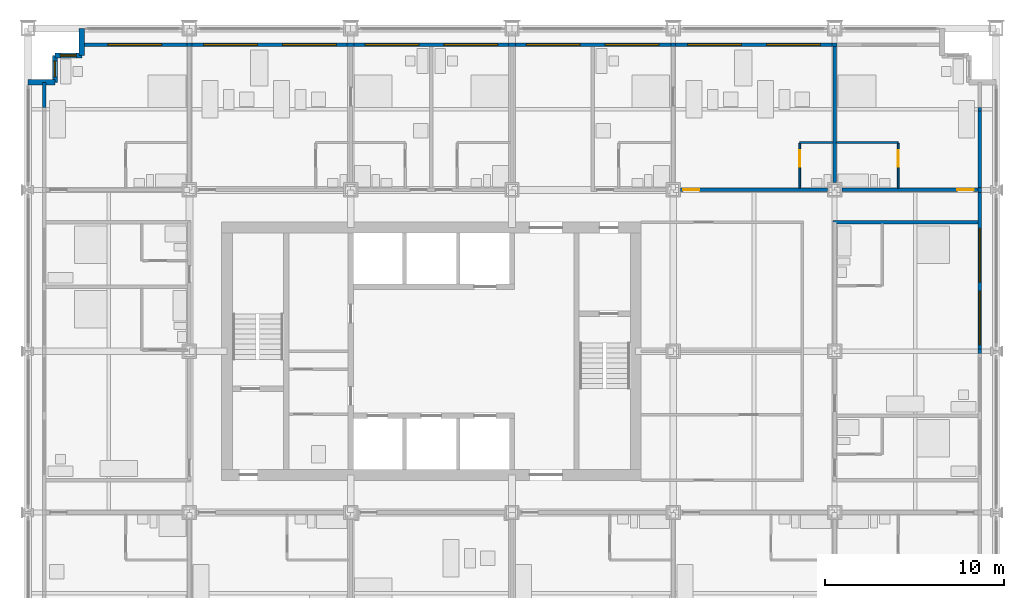
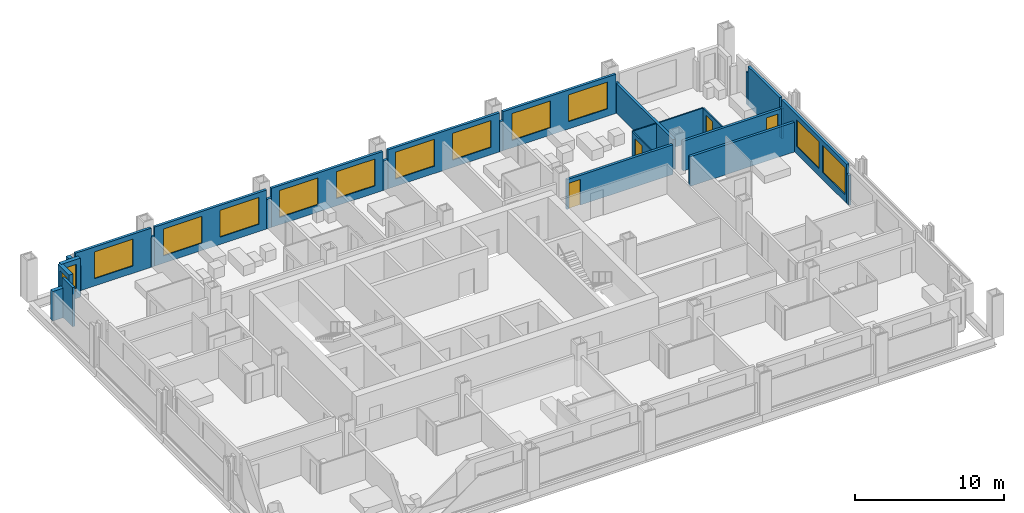
# One storey, part 14 of 18: 28 walls, 13 windows, 4 doors, 17 openings.
"""IFC4 building model written with IfcOpenShell, lengths in metres."""

from ifc_helpers import new_model, si_unit, direction, frame, frame_2d, origin, place, context, subcontext, project, spatial, rectangle, extrude, material, layer, layer_set, type_object, element, fill, save


model = new_model("IFC4")

# Units and contexts
model_context = context("Model", 3, precision=1e-05, world=origin(), true_north=direction((0.0, 1.0)))
body_context = subcontext(model_context, "Body", "Model", "MODEL_VIEW")
ifc_project = project(units=[si_unit("LENGTHUNIT", "METRE"), si_unit("AREAUNIT", "SQUARE_METRE"), si_unit("VOLUMEUNIT", "CUBIC_METRE"), si_unit("PLANEANGLEUNIT", "RADIAN"), si_unit("MASSUNIT", "GRAM", prefix="KILO")], contexts=[model_context])

# Site, building, storey
site_placement = place(None, origin())
site = spatial("IfcSite", under=ifc_project, at=site_placement, CompositionType="ELEMENT")
building_placement = place(site_placement, origin())
building = spatial("IfcBuilding", under=site, at=building_placement, Name="Loomwork Tower", CompositionType="ELEMENT")
storey_placement = place(building_placement, frame((0.0, 0.0, 41.60009765625)))
storey = spatial("IfcBuildingStorey", under=building, at=storey_placement, Name="L09", CompositionType="ELEMENT", Elevation=41.60009765625)

# Wall, opening, door
ifc_material_1 = material(Name="Gypsum board on steel studs, one-hour", Category="steel")
ifc_layer_1 = layer(ifc_material_1, 0.199951171875)
ifc_layer_set_1 = layer_set([ifc_layer_1], Name="Corridor wall 200")
wall_type_1 = type_object("IfcWallType", Name="Corridor wall 200", PredefinedType="PARTITIONING", material=ifc_layer_set_1)
wall_1_placement = place(storey_placement, frame((36.39990234375, 27.0, 0.0), z_axis=(0.0, 0.0, 1.0), x_axis=(1.0, 0.0, 0.0)))
wall_1 = element("IfcWall", 1, at=wall_1_placement, inside=storey, type_object=wall_type_1, Name="North corridor wall 5", PredefinedType="PARTITIONING", context=body_context, shape_type="SweptSolid", body=[
    extrude(rectangle(XDim=8.2001953125, YDim=0.199951171875, at=frame_2d((4.10009765625, 0.0))), origin(), (0.0, 0.0, 1.0), 2.43798828125),
])
opening_1_placement = place(wall_1_placement, frame((0.14990234375, 0.0, 0.0)))
opening_1 = element("IfcOpeningElement", 2, at=opening_1_placement, cuts=wall_1, Name="Opening D1", PredefinedType="OPENING", context=body_context, shape_type="SweptSolid", body=[
    extrude(rectangle(XDim=0.89990234375, YDim=2.10009765625, at=frame_2d((0.449951171875, 1.050048828125))), frame((0.0, 0.10986328125, 0.0), z_axis=(0.0, -1.0, 0.0), x_axis=(1.0, 0.0, 0.0)), (0.0, 0.0, 1.0), 0.219970703125),
])
ifc_material_2 = material(Name="Hollow metal door and frame")
door_type_1 = type_object("IfcDoorType", Name="Guest room entry door 900", OperationType="SINGLE_SWING_LEFT", PredefinedType="DOOR", material=ifc_material_2)
door_1_placement = place(opening_1_placement, origin())
door_1 = element("IfcDoor", 3, at=door_1_placement, inside=storey, type_object=door_type_1, Name="Guest room entry door L09 12", OperationType="SINGLE_SWING_LEFT", OverallHeight=2.10009765625, OverallWidth=0.89990234375, PredefinedType="DOOR", context=body_context, shape_type="SweptSolid", body=[
    extrude(rectangle(XDim=0.89990234375, YDim=2.10009765625, at=frame_2d((0.449951171875, 1.050048828125))), frame((0.0, 0.02490234375, 0.0), z_axis=(0.0, -1.0, 0.0), x_axis=(1.0, 0.0, 0.0)), (0.0, 0.0, 1.0), 0.050048828125),
])
fill(opening_1, door_1)

wall_2_placement = place(storey_placement, frame((45.39990234375, 27.0, 0.0), z_axis=(0.0, 0.0, 1.0), x_axis=(1.0, 0.0, 0.0)))
wall_2 = element("IfcWall", 4, at=wall_2_placement, inside=storey, type_object=wall_type_1, Name="North corridor wall 6", PredefinedType="PARTITIONING", context=body_context, shape_type="SweptSolid", body=[
    extrude(rectangle(XDim=7.60009765625, YDim=0.199951171875, at=frame_2d((3.800048828125, 0.0))), origin(), (0.0, 0.0, 1.0), 2.43798828125),
])
opening_2_placement = place(wall_2_placement, frame((6.449951171875, 0.0, 0.0)))
opening_2 = element("IfcOpeningElement", 5, at=opening_2_placement, cuts=wall_2, Name="Opening D1", PredefinedType="OPENING", context=body_context, shape_type="SweptSolid", body=[
    extrude(rectangle(XDim=0.89990234375, YDim=2.10009765625, at=frame_2d((0.449951171875, 1.050048828125))), frame((0.0, 0.10986328125, 0.0), z_axis=(0.0, -1.0, 0.0), x_axis=(1.0, 0.0, 0.0)), (0.0, 0.0, 1.0), 0.219970703125),
])
door_2_placement = place(opening_2_placement, origin())
door_2 = element("IfcDoor", 6, at=door_2_placement, inside=storey, type_object=door_type_1, Name="Guest room entry door L09 13", OperationType="SINGLE_SWING_RIGHT", OverallHeight=2.10009765625, OverallWidth=0.89990234375, PredefinedType="DOOR", context=body_context, shape_type="SweptSolid", body=[
    extrude(rectangle(XDim=0.89990234375, YDim=2.10009765625, at=frame_2d((0.449951171875, 1.050048828125))), frame((0.0, 0.02490234375, 0.0), z_axis=(0.0, -1.0, 0.0), x_axis=(1.0, 0.0, 0.0)), (0.0, 0.0, 1.0), 0.050048828125),
])
fill(opening_2, door_2)

# Walls
wall_3_placement = place(storey_placement, frame((44.89990234375, 25.199951171875, 0.0), z_axis=(0.0, 0.0, 1.0), x_axis=(1.0, 0.0, 0.0)))
element("IfcWall", 7, at=wall_3_placement, inside=storey, type_object=wall_type_1, Name="East band end wall N", PredefinedType="PARTITIONING", context=body_context, shape_type="SweptSolid", body=[
    extrude(rectangle(XDim=8.10009765625, YDim=0.199951171875, at=frame_2d((4.050048828125, 0.0))), origin(), (0.0, 0.0, 1.0), 2.43798828125),
])
ifc_material_3 = material(Name="Cement board on steel studs", Category="steel")
ifc_layer_2 = layer(ifc_material_3, 0.10009765625)
ifc_layer_set_2 = layer_set([ifc_layer_2], Name="En-suite partition 100")
wall_type_2 = type_object("IfcWallType", Name="En-suite partition 100", PredefinedType="PARTITIONING", material=ifc_layer_set_2)
wall_4_placement = place(storey_placement, frame((43.050048828125, 29.64990234375, 0.0), z_axis=(0.0, 0.0, 1.0), x_axis=(1.0, 0.0, 0.0)))
element("IfcWall", 8, at=wall_4_placement, inside=storey, type_object=wall_type_2, Name="En-suite wall L09 room 12", PredefinedType="PARTITIONING", context=body_context, shape_type="SweptSolid", body=[
    extrude(rectangle(XDim=1.849853515625, YDim=0.10009765625, at=frame_2d((0.9248046875, 0.0))), origin(), (0.0, 0.0, 1.0), 2.43798828125),
])

# Wall, opening, door
wall_5_placement = place(storey_placement, frame((43.050048828125, 27.10009765625, 0.0), z_axis=(0.0, 0.0, 1.0), x_axis=(0.0, 1.0, 0.0)))
wall_5 = element("IfcWall", 9, at=wall_5_placement, inside=storey, type_object=wall_type_2, Name="En-suite side wall L09 room 12", PredefinedType="PARTITIONING", context=body_context, shape_type="SweptSolid", body=[
    extrude(rectangle(XDim=2.5, YDim=0.10009765625, at=frame_2d((1.25, 0.0))), origin(), (0.0, 0.0, 1.0), 2.43798828125),
])
opening_3_placement = place(wall_5_placement, frame((1.199951171875, 0.0, 0.0)))
opening_3 = element("IfcOpeningElement", 10, at=opening_3_placement, cuts=wall_5, Name="Opening D2", PredefinedType="OPENING", context=body_context, shape_type="SweptSolid", body=[
    extrude(rectangle(XDim=0.89990234375, YDim=2.10009765625, at=frame_2d((0.449951171875, 1.050048828125))), frame((0.0, 0.06005859375, 0.0), z_axis=(0.0, -1.0, 0.0), x_axis=(1.0, 0.0, 0.0)), (0.0, 0.0, 1.0), 0.1201171875),
])
ifc_material_4 = material(Name="Hollow metal door and frame")
door_type_2 = type_object("IfcDoorType", Name="En-suite door 900", OperationType="SINGLE_SWING_LEFT", PredefinedType="DOOR", material=ifc_material_4)
door_3_placement = place(opening_3_placement, frame((0.89990234375, 0.0, 0.0), z_axis=(0.0, 0.0, 1.0), x_axis=(-1.0, 0.0, 0.0)))
door_3 = element("IfcDoor", 11, at=door_3_placement, inside=storey, type_object=door_type_2, Name="Suite powder room door room 12", OperationType="SINGLE_SWING_LEFT", OverallHeight=2.10009765625, OverallWidth=0.89990234375, PredefinedType="DOOR", context=body_context, shape_type="SweptSolid", body=[
    extrude(rectangle(XDim=0.89990234375, YDim=2.10009765625, at=frame_2d((0.449951171875, 1.050048828125))), frame((0.0, 0.02490234375, 0.0), z_axis=(0.0, -1.0, 0.0), x_axis=(1.0, 0.0, 0.0)), (0.0, 0.0, 1.0), 0.050048828125),
])
fill(opening_3, door_3)

# Wall
wall_6_placement = place(storey_placement, frame((45.10009765625, 29.64990234375, 0.0), z_axis=(0.0, 0.0, 1.0), x_axis=(1.0, 0.0, 0.0)))
element("IfcWall", 12, at=wall_6_placement, inside=storey, type_object=wall_type_2, Name="En-suite wall L09 room 13", PredefinedType="PARTITIONING", context=body_context, shape_type="SweptSolid", body=[
    extrude(rectangle(XDim=3.449951171875, YDim=0.10009765625, at=frame_2d((1.72509765625, 0.0))), origin(), (0.0, 0.0, 1.0), 2.43798828125),
])

# Wall, opening, door
wall_7_placement = place(storey_placement, frame((48.550048828125, 27.10009765625, 0.0), z_axis=(0.0, 0.0, 1.0), x_axis=(0.0, 1.0, 0.0)))
wall_7 = element("IfcWall", 13, at=wall_7_placement, inside=storey, type_object=wall_type_2, Name="En-suite side wall L09 room 13", PredefinedType="PARTITIONING", context=body_context, shape_type="SweptSolid", body=[
    extrude(rectangle(XDim=2.5, YDim=0.10009765625, at=frame_2d((1.25, 0.0))), origin(), (0.0, 0.0, 1.0), 2.43798828125),
])
opening_4_placement = place(wall_7_placement, frame((1.199951171875, 0.0, 0.0)))
opening_4 = element("IfcOpeningElement", 14, at=opening_4_placement, cuts=wall_7, Name="Opening D2", PredefinedType="OPENING", context=body_context, shape_type="SweptSolid", body=[
    extrude(rectangle(XDim=0.89990234375, YDim=2.10009765625, at=frame_2d((0.449951171875, 1.050048828125))), frame((0.0, 0.06005859375, 0.0), z_axis=(0.0, -1.0, 0.0), x_axis=(1.0, 0.0, 0.0)), (0.0, 0.0, 1.0), 0.1201171875),
])
door_4_placement = place(opening_4_placement, origin())
door_4 = element("IfcDoor", 15, at=door_4_placement, inside=storey, type_object=door_type_2, Name="En-suite door room 13", OperationType="SINGLE_SWING_RIGHT", OverallHeight=2.10009765625, OverallWidth=0.89990234375, PredefinedType="DOOR", context=body_context, shape_type="SweptSolid", body=[
    extrude(rectangle(XDim=0.89990234375, YDim=2.10009765625, at=frame_2d((0.449951171875, 1.050048828125))), frame((0.0, 0.02490234375, 0.0), z_axis=(0.0, -1.0, 0.0), x_axis=(1.0, 0.0, 0.0)), (0.0, 0.0, 1.0), 0.050048828125),
])
fill(opening_4, door_4)

# Wall
ifc_material_5 = material(Name="Gypsum board on steel studs, acoustic", Category="steel")
ifc_layer_3 = layer(ifc_material_5, 0.199951171875)
ifc_layer_set_3 = layer_set([ifc_layer_3], Name="Guest room party wall 200")
wall_type_3 = type_object("IfcWallType", Name="Guest room party wall 200", PredefinedType="PARTITIONING", material=ifc_layer_set_3)
wall_8_placement = place(storey_placement, frame((45.0, 27.39990234375, 0.0), z_axis=(0.0, 0.0, 1.0), x_axis=(0.0, 1.0, 0.0)))
element("IfcWall", 16, at=wall_8_placement, inside=storey, type_object=wall_type_3, Name="Guest room party wall N 45", PredefinedType="PARTITIONING", context=body_context, shape_type="SweptSolid", body=[
    extrude(rectangle(XDim=7.60009765625, YDim=0.199951171875, at=frame_2d((3.800048828125, 0.0))), origin(), (0.0, 0.0, 1.0), 2.43798828125),
])

# Wall, opening, window
ifc_material_6 = material(Name="Insulated steel stud wall with gypsum lining", Category="steel")
ifc_layer_4 = layer(ifc_material_6, 0.199951171875)
ifc_layer_set_4 = layer_set([ifc_layer_4], Name="Inner skin wall 200")
wall_type_4 = type_object("IfcWallType", Name="Inner skin wall 200", PredefinedType="SOLIDWALL", material=ifc_layer_set_4)
wall_9_placement = place(storey_placement, frame((3.0, 35.10009765625, 0.0), z_axis=(0.0, 0.0, 1.0), x_axis=(1.0, 0.0, 0.0)))
wall_9 = element("IfcWall", 17, at=wall_9_placement, inside=storey, type_object=wall_type_4, Name="Inner skin wall N", PredefinedType="SOLIDWALL", context=body_context, shape_type="SweptSolid", body=[
    extrude(rectangle(XDim=5.86474609375, YDim=0.199951171875, at=frame_2d((2.932373046875, 0.0))), origin(), (0.0, 0.0, 1.0), 3.199951171875),
])
opening_5_placement = place(wall_9_placement, frame((1.449951171875, 0.0, 0.60009765625)))
opening_5 = element("IfcOpeningElement", 18, at=opening_5_placement, cuts=wall_9, Name="Opening CH1", PredefinedType="OPENING", context=body_context, shape_type="SweptSolid", body=[
    extrude(rectangle(XDim=3.0, YDim=2.199951171875, at=frame_2d((1.5, 1.10009765625))), frame((0.0, 0.10986328125, 0.0), z_axis=(0.0, -1.0, 0.0), x_axis=(1.0, 0.0, 0.0)), (0.0, 0.0, 1.0), 0.219970703125),
])
ifc_material_7 = material(Name="Aluminium frame with clear insulated glass", Category="aluminium")
window_type_1 = type_object("IfcWindowType", Name="Chicago window 3000", PartitioningType="TRIPLE_PANEL_VERTICAL", PredefinedType="WINDOW", material=ifc_material_7)
window_1_placement = place(opening_5_placement, origin())
window_1 = element("IfcWindow", 19, at=window_1_placement, inside=storey, type_object=window_type_1, Name="Chicago window L09 bay 7", OverallHeight=2.199951171875, OverallWidth=3.0, PartitioningType="TRIPLE_PANEL_VERTICAL", PredefinedType="WINDOW", context=body_context, shape_type="SweptSolid", body=[
    extrude(rectangle(XDim=3.0, YDim=2.199951171875, at=frame_2d((1.5, 1.10009765625))), frame((0.0, 0.030029296875, 0.0), z_axis=(0.0, -1.0, 0.0), x_axis=(1.0, 0.0, 0.0)), (0.0, 0.0, 1.0), 0.06005859375),
])
fill(opening_5, window_1)

# Walls
wall_10_placement = place(storey_placement, frame((0.89990234375, 31.607421875, 0.0), z_axis=(0.0, 0.0, 1.0), x_axis=(0.0, 1.0, 0.0)))
element("IfcWall", 20, at=wall_10_placement, inside=storey, type_object=wall_type_4, Name="Inner skin wall W bay 11", PredefinedType="SOLIDWALL", context=body_context, shape_type="SweptSolid", body=[
    extrude(rectangle(XDim=1.392578125, YDim=0.199951171875, at=frame_2d((0.6962890625, 0.0))), origin(), (0.0, 0.0, 1.0), 3.199951171875),
])
wall_11_placement = place(storey_placement, frame((8.86474609375, 35.10009765625, 0.0), z_axis=(0.0, 0.0, 1.0), x_axis=(1.0, 0.0, 0.0)))
element("IfcWall", 21, at=wall_11_placement, inside=storey, type_object=wall_type_4, Name="Inner skin wall N bay 2", PredefinedType="SOLIDWALL", context=body_context, shape_type="SweptSolid", body=[
    extrude(rectangle(XDim=0.2705078125, YDim=0.199951171875, at=frame_2d((0.13525390625, 0.0))), origin(), (0.0, 0.0, 1.0), 2.43798828125),
])

# Wall, openings, windows
wall_12_placement = place(storey_placement, frame((9.13525390625, 35.10009765625, 0.0), z_axis=(0.0, 0.0, 1.0), x_axis=(1.0, 0.0, 0.0)))
wall_12 = element("IfcWall", 22, at=wall_12_placement, inside=storey, type_object=wall_type_4, Name="Inner skin wall N bay 3", PredefinedType="SOLIDWALL", context=body_context, shape_type="SweptSolid", body=[
    extrude(rectangle(XDim=8.6708984375, YDim=0.199951171875, at=frame_2d((4.33544921875, 0.0))), origin(), (0.0, 0.0, 1.0), 3.199951171875),
])
opening_6_placement = place(wall_12_placement, frame((0.664794921875, 0.0, 0.60009765625)))
opening_6 = element("IfcOpeningElement", 23, at=opening_6_placement, cuts=wall_12, Name="Opening CH1", PredefinedType="OPENING", context=body_context, shape_type="SweptSolid", body=[
    extrude(rectangle(XDim=3.0, YDim=2.199951171875, at=frame_2d((1.5, 1.10009765625))), frame((0.0, 0.10986328125, 0.0), z_axis=(0.0, -1.0, 0.0), x_axis=(1.0, 0.0, 0.0)), (0.0, 0.0, 1.0), 0.219970703125),
])
opening_7_placement = place(wall_12_placement, frame((5.064697265625, 0.0, 0.60009765625)))
opening_7 = element("IfcOpeningElement", 24, at=opening_7_placement, cuts=wall_12, Name="Opening CH1", PredefinedType="OPENING", context=body_context, shape_type="SweptSolid", body=[
    extrude(rectangle(XDim=3.0, YDim=2.199951171875, at=frame_2d((1.5, 1.10009765625))), frame((0.0, 0.10986328125, 0.0), z_axis=(0.0, -1.0, 0.0), x_axis=(1.0, 0.0, 0.0)), (0.0, 0.0, 1.0), 0.219970703125),
])
window_2_placement = place(opening_6_placement, origin())
window_2 = element("IfcWindow", 25, at=window_2_placement, inside=storey, type_object=window_type_1, Name="Chicago window L09 bay 8", OverallHeight=2.199951171875, OverallWidth=3.0, PartitioningType="TRIPLE_PANEL_VERTICAL", PredefinedType="WINDOW", context=body_context, shape_type="SweptSolid", body=[
    extrude(rectangle(XDim=3.0, YDim=2.199951171875, at=frame_2d((1.5, 1.10009765625))), frame((0.0, 0.030029296875, 0.0), z_axis=(0.0, -1.0, 0.0), x_axis=(1.0, 0.0, 0.0)), (0.0, 0.0, 1.0), 0.06005859375),
])
fill(opening_6, window_2)
window_3_placement = place(opening_7_placement, origin())
window_3 = element("IfcWindow", 26, at=window_3_placement, inside=storey, type_object=window_type_1, Name="Chicago window L09 bay 8", OverallHeight=2.199951171875, OverallWidth=3.0, PartitioningType="TRIPLE_PANEL_VERTICAL", PredefinedType="WINDOW", context=body_context, shape_type="SweptSolid", body=[
    extrude(rectangle(XDim=3.0, YDim=2.199951171875, at=frame_2d((1.5, 1.10009765625))), frame((0.0, 0.030029296875, 0.0), z_axis=(0.0, -1.0, 0.0), x_axis=(1.0, 0.0, 0.0)), (0.0, 0.0, 1.0), 0.06005859375),
])
fill(opening_7, window_3)

# Wall
wall_13_placement = place(storey_placement, frame((17.80615234375, 35.10009765625, 0.0), z_axis=(0.0, 0.0, 1.0), x_axis=(1.0, 0.0, 0.0)))
element("IfcWall", 27, at=wall_13_placement, inside=storey, type_object=wall_type_4, Name="Inner skin wall N bay 4", PredefinedType="SOLIDWALL", context=body_context, shape_type="SweptSolid", body=[
    extrude(rectangle(XDim=0.3876953125, YDim=0.199951171875, at=frame_2d((0.19384765625, 0.0))), origin(), (0.0, 0.0, 1.0), 2.40380859375),
])

# Wall, openings, windows
wall_14_placement = place(storey_placement, frame((18.19384765625, 35.10009765625, 0.0), z_axis=(0.0, 0.0, 1.0), x_axis=(1.0, 0.0, 0.0)))
wall_14 = element("IfcWall", 28, at=wall_14_placement, inside=storey, type_object=wall_type_4, Name="Inner skin wall N bay 5", PredefinedType="SOLIDWALL", context=body_context, shape_type="SweptSolid", body=[
    extrude(rectangle(XDim=8.6123046875, YDim=0.199951171875, at=frame_2d((4.30615234375, 0.0))), origin(), (0.0, 0.0, 1.0), 3.199951171875),
])
opening_8_placement = place(wall_14_placement, frame((0.606201171875, 0.0, 0.60009765625)))
opening_8 = element("IfcOpeningElement", 29, at=opening_8_placement, cuts=wall_14, Name="Opening CH1", PredefinedType="OPENING", context=body_context, shape_type="SweptSolid", body=[
    extrude(rectangle(XDim=3.0, YDim=2.199951171875, at=frame_2d((1.5, 1.10009765625))), frame((0.0, 0.10986328125, 0.0), z_axis=(0.0, -1.0, 0.0), x_axis=(1.0, 0.0, 0.0)), (0.0, 0.0, 1.0), 0.219970703125),
])
opening_9_placement = place(wall_14_placement, frame((5.006103515625, 0.0, 0.60009765625)))
opening_9 = element("IfcOpeningElement", 30, at=opening_9_placement, cuts=wall_14, Name="Opening CH1", PredefinedType="OPENING", context=body_context, shape_type="SweptSolid", body=[
    extrude(rectangle(XDim=3.0, YDim=2.199951171875, at=frame_2d((1.5, 1.10009765625))), frame((0.0, 0.10986328125, 0.0), z_axis=(0.0, -1.0, 0.0), x_axis=(1.0, 0.0, 0.0)), (0.0, 0.0, 1.0), 0.219970703125),
])
window_4_placement = place(opening_8_placement, origin())
window_4 = element("IfcWindow", 31, at=window_4_placement, inside=storey, type_object=window_type_1, Name="Chicago window L09 bay 9", OverallHeight=2.199951171875, OverallWidth=3.0, PartitioningType="TRIPLE_PANEL_VERTICAL", PredefinedType="WINDOW", context=body_context, shape_type="SweptSolid", body=[
    extrude(rectangle(XDim=3.0, YDim=2.199951171875, at=frame_2d((1.5, 1.10009765625))), frame((0.0, 0.030029296875, 0.0), z_axis=(0.0, -1.0, 0.0), x_axis=(1.0, 0.0, 0.0)), (0.0, 0.0, 1.0), 0.06005859375),
])
fill(opening_8, window_4)
window_5_placement = place(opening_9_placement, origin())
window_5 = element("IfcWindow", 32, at=window_5_placement, inside=storey, type_object=window_type_1, Name="Chicago window L09 bay 9", OverallHeight=2.199951171875, OverallWidth=3.0, PartitioningType="TRIPLE_PANEL_VERTICAL", PredefinedType="WINDOW", context=body_context, shape_type="SweptSolid", body=[
    extrude(rectangle(XDim=3.0, YDim=2.199951171875, at=frame_2d((1.5, 1.10009765625))), frame((0.0, 0.030029296875, 0.0), z_axis=(0.0, -1.0, 0.0), x_axis=(1.0, 0.0, 0.0)), (0.0, 0.0, 1.0), 0.06005859375),
])
fill(opening_9, window_5)

# Wall
wall_15_placement = place(storey_placement, frame((26.80615234375, 35.10009765625, 0.0), z_axis=(0.0, 0.0, 1.0), x_axis=(1.0, 0.0, 0.0)))
element("IfcWall", 33, at=wall_15_placement, inside=storey, type_object=wall_type_4, Name="Inner skin wall N bay 6", PredefinedType="SOLIDWALL", context=body_context, shape_type="SweptSolid", body=[
    extrude(rectangle(XDim=0.3876953125, YDim=0.199951171875, at=frame_2d((0.19384765625, 0.0))), origin(), (0.0, 0.0, 1.0), 2.40380859375),
])

# Wall, openings, windows
wall_16_placement = place(storey_placement, frame((27.19384765625, 35.10009765625, 0.0), z_axis=(0.0, 0.0, 1.0), x_axis=(1.0, 0.0, 0.0)))
wall_16 = element("IfcWall", 34, at=wall_16_placement, inside=storey, type_object=wall_type_4, Name="Inner skin wall N bay 7", PredefinedType="SOLIDWALL", context=body_context, shape_type="SweptSolid", body=[
    extrude(rectangle(XDim=8.670654296875, YDim=0.199951171875, at=frame_2d((4.33544921875, 0.0))), origin(), (0.0, 0.0, 1.0), 3.199951171875),
])
opening_10_placement = place(wall_16_placement, frame((0.606201171875, 0.0, 0.60009765625)))
opening_10 = element("IfcOpeningElement", 35, at=opening_10_placement, cuts=wall_16, Name="Opening CH1", PredefinedType="OPENING", context=body_context, shape_type="SweptSolid", body=[
    extrude(rectangle(XDim=3.0, YDim=2.199951171875, at=frame_2d((1.5, 1.10009765625))), frame((0.0, 0.10986328125, 0.0), z_axis=(0.0, -1.0, 0.0), x_axis=(1.0, 0.0, 0.0)), (0.0, 0.0, 1.0), 0.219970703125),
])
opening_11_placement = place(wall_16_placement, frame((5.006103515625, 0.0, 0.60009765625)))
opening_11 = element("IfcOpeningElement", 36, at=opening_11_placement, cuts=wall_16, Name="Opening CH1", PredefinedType="OPENING", context=body_context, shape_type="SweptSolid", body=[
    extrude(rectangle(XDim=3.0, YDim=2.199951171875, at=frame_2d((1.5, 1.10009765625))), frame((0.0, 0.10986328125, 0.0), z_axis=(0.0, -1.0, 0.0), x_axis=(1.0, 0.0, 0.0)), (0.0, 0.0, 1.0), 0.219970703125),
])
window_6_placement = place(opening_10_placement, origin())
window_6 = element("IfcWindow", 37, at=window_6_placement, inside=storey, type_object=window_type_1, Name="Chicago window L09 bay 10", OverallHeight=2.199951171875, OverallWidth=3.0, PartitioningType="TRIPLE_PANEL_VERTICAL", PredefinedType="WINDOW", context=body_context, shape_type="SweptSolid", body=[
    extrude(rectangle(XDim=3.0, YDim=2.199951171875, at=frame_2d((1.5, 1.10009765625))), frame((0.0, 0.030029296875, 0.0), z_axis=(0.0, -1.0, 0.0), x_axis=(1.0, 0.0, 0.0)), (0.0, 0.0, 1.0), 0.06005859375),
])
fill(opening_10, window_6)
window_7_placement = place(opening_11_placement, origin())
window_7 = element("IfcWindow", 38, at=window_7_placement, inside=storey, type_object=window_type_1, Name="Chicago window L09 bay 10", OverallHeight=2.199951171875, OverallWidth=3.0, PartitioningType="TRIPLE_PANEL_VERTICAL", PredefinedType="WINDOW", context=body_context, shape_type="SweptSolid", body=[
    extrude(rectangle(XDim=3.0, YDim=2.199951171875, at=frame_2d((1.5, 1.10009765625))), frame((0.0, 0.030029296875, 0.0), z_axis=(0.0, -1.0, 0.0), x_axis=(1.0, 0.0, 0.0)), (0.0, 0.0, 1.0), 0.06005859375),
])
fill(opening_11, window_7)

# Wall
wall_17_placement = place(storey_placement, frame((35.864501953125, 35.10009765625, 0.0), z_axis=(0.0, 0.0, 1.0), x_axis=(1.0, 0.0, 0.0)))
element("IfcWall", 39, at=wall_17_placement, inside=storey, type_object=wall_type_4, Name="Inner skin wall N bay 8", PredefinedType="SOLIDWALL", context=body_context, shape_type="SweptSolid", body=[
    extrude(rectangle(XDim=0.27099609375, YDim=0.199951171875, at=frame_2d((0.135498046875, 0.0))), origin(), (0.0, 0.0, 1.0), 2.43798828125),
])

# Wall, openings, windows
wall_18_placement = place(storey_placement, frame((36.135498046875, 35.10009765625, 0.0), z_axis=(0.0, 0.0, 1.0), x_axis=(1.0, 0.0, 0.0)))
wall_18 = element("IfcWall", 40, at=wall_18_placement, inside=storey, type_object=wall_type_4, Name="Inner skin wall N bay 9", PredefinedType="SOLIDWALL", context=body_context, shape_type="SweptSolid", body=[
    extrude(rectangle(XDim=8.72900390625, YDim=0.199951171875, at=frame_2d((4.364501953125, 0.0))), origin(), (0.0, 0.0, 1.0), 3.199951171875),
])
opening_12_placement = place(wall_18_placement, frame((0.66455078125, 0.0, 0.60009765625)))
opening_12 = element("IfcOpeningElement", 41, at=opening_12_placement, cuts=wall_18, Name="Opening CH1", PredefinedType="OPENING", context=body_context, shape_type="SweptSolid", body=[
    extrude(rectangle(XDim=3.0, YDim=2.199951171875, at=frame_2d((1.5, 1.10009765625))), frame((0.0, 0.10986328125, 0.0), z_axis=(0.0, -1.0, 0.0), x_axis=(1.0, 0.0, 0.0)), (0.0, 0.0, 1.0), 0.219970703125),
])
opening_13_placement = place(wall_18_placement, frame((5.064697265625, 0.0, 0.60009765625)))
opening_13 = element("IfcOpeningElement", 42, at=opening_13_placement, cuts=wall_18, Name="Opening CH1", PredefinedType="OPENING", context=body_context, shape_type="SweptSolid", body=[
    extrude(rectangle(XDim=3.0, YDim=2.199951171875, at=frame_2d((1.5, 1.10009765625))), frame((0.0, 0.10986328125, 0.0), z_axis=(0.0, -1.0, 0.0), x_axis=(1.0, 0.0, 0.0)), (0.0, 0.0, 1.0), 0.219970703125),
])
window_8_placement = place(opening_12_placement, origin())
window_8 = element("IfcWindow", 43, at=window_8_placement, inside=storey, type_object=window_type_1, Name="Chicago window L09 bay 11", OverallHeight=2.199951171875, OverallWidth=3.0, PartitioningType="TRIPLE_PANEL_VERTICAL", PredefinedType="WINDOW", context=body_context, shape_type="SweptSolid", body=[
    extrude(rectangle(XDim=3.0, YDim=2.199951171875, at=frame_2d((1.5, 1.10009765625))), frame((0.0, 0.030029296875, 0.0), z_axis=(0.0, -1.0, 0.0), x_axis=(1.0, 0.0, 0.0)), (0.0, 0.0, 1.0), 0.06005859375),
])
fill(opening_12, window_8)
window_9_placement = place(opening_13_placement, origin())
window_9 = element("IfcWindow", 44, at=window_9_placement, inside=storey, type_object=window_type_1, Name="Chicago window L09 bay 11", OverallHeight=2.199951171875, OverallWidth=3.0, PartitioningType="TRIPLE_PANEL_VERTICAL", PredefinedType="WINDOW", context=body_context, shape_type="SweptSolid", body=[
    extrude(rectangle(XDim=3.0, YDim=2.199951171875, at=frame_2d((1.5, 1.10009765625))), frame((0.0, 0.030029296875, 0.0), z_axis=(0.0, -1.0, 0.0), x_axis=(1.0, 0.0, 0.0)), (0.0, 0.0, 1.0), 0.06005859375),
])
fill(opening_13, window_9)

# Walls
for number, where, z_axis, x_axis, name in (
    (45, (44.864501953125, 35.10009765625, 0.0), (0.0, 0.0, 1.0), (1.0, 0.0, 0.0), "Inner skin wall N bay 10"),
    (46, (53.10009765625, 17.864501953125, 0.0), (0.0, 0.0, 1.0), (0.0, 1.0, 0.0), "Inner skin wall E bay 6"),
):
    element("IfcWall", number, at=place(storey_placement, frame(where, z_axis=z_axis, x_axis=x_axis)), inside=storey, type_object=wall_type_4, Name=name, PredefinedType="SOLIDWALL", context=body_context, shape_type="SweptSolid", body=[
        extrude(rectangle(XDim=0.27099609375, YDim=0.199951171875, at=frame_2d((0.135498046875, 0.0))), origin(), (0.0, 0.0, 1.0), 2.43798828125),
    ])

# Wall, openings, windows
wall_19_placement = place(storey_placement, frame((53.10009765625, 18.135498046875, 0.0), z_axis=(0.0, 0.0, 1.0), x_axis=(0.0, 1.0, 0.0)))
wall_19 = element("IfcWall", 47, at=wall_19_placement, inside=storey, type_object=wall_type_4, Name="Inner skin wall E bay 7", PredefinedType="SOLIDWALL", context=body_context, shape_type="SweptSolid", body=[
    extrude(rectangle(XDim=8.729248046875, YDim=0.199951171875, at=frame_2d((4.36474609375, 0.0))), origin(), (0.0, 0.0, 1.0), 3.199951171875),
])
opening_14_placement = place(wall_19_placement, frame((0.214599609375, 0.0, 0.60009765625)))
opening_14 = element("IfcOpeningElement", 48, at=opening_14_placement, cuts=wall_19, Name="Opening CH1", PredefinedType="OPENING", context=body_context, shape_type="SweptSolid", body=[
    extrude(rectangle(XDim=3.0, YDim=2.199951171875, at=frame_2d((1.5, 1.10009765625))), frame((0.0, 0.10986328125, 0.0), z_axis=(0.0, -1.0, 0.0), x_axis=(1.0, 0.0, 0.0)), (0.0, 0.0, 1.0), 0.219970703125),
])
opening_15_placement = place(wall_19_placement, frame((3.714599609375, 0.0, 0.60009765625)))
opening_15 = element("IfcOpeningElement", 49, at=opening_15_placement, cuts=wall_19, Name="Opening CH1", PredefinedType="OPENING", context=body_context, shape_type="SweptSolid", body=[
    extrude(rectangle(XDim=3.0, YDim=2.199951171875, at=frame_2d((1.5, 1.10009765625))), frame((0.0, 0.10986328125, 0.0), z_axis=(0.0, -1.0, 0.0), x_axis=(1.0, 0.0, 0.0)), (0.0, 0.0, 1.0), 0.219970703125),
])
window_10_placement = place(opening_14_placement, origin())
window_10 = element("IfcWindow", 50, at=window_10_placement, inside=storey, type_object=window_type_1, Name="Chicago window L09 bay 16", OverallHeight=2.199951171875, OverallWidth=3.0, PartitioningType="TRIPLE_PANEL_VERTICAL", PredefinedType="WINDOW", context=body_context, shape_type="SweptSolid", body=[
    extrude(rectangle(XDim=3.0, YDim=2.199951171875, at=frame_2d((1.5, 1.10009765625))), frame((0.0, 0.030029296875, 0.0), z_axis=(0.0, -1.0, 0.0), x_axis=(1.0, 0.0, 0.0)), (0.0, 0.0, 1.0), 0.06005859375),
])
fill(opening_14, window_10)
window_11_placement = place(opening_15_placement, origin())
window_11 = element("IfcWindow", 51, at=window_11_placement, inside=storey, type_object=window_type_1, Name="Chicago window L09 bay 16", OverallHeight=2.199951171875, OverallWidth=3.0, PartitioningType="TRIPLE_PANEL_VERTICAL", PredefinedType="WINDOW", context=body_context, shape_type="SweptSolid", body=[
    extrude(rectangle(XDim=3.0, YDim=2.199951171875, at=frame_2d((1.5, 1.10009765625))), frame((0.0, 0.030029296875, 0.0), z_axis=(0.0, -1.0, 0.0), x_axis=(1.0, 0.0, 0.0)), (0.0, 0.0, 1.0), 0.06005859375),
])
fill(opening_15, window_11)

# Walls
wall_20_placement = place(storey_placement, frame((53.10009765625, 26.86474609375, 0.0), z_axis=(0.0, 0.0, 1.0), x_axis=(0.0, 1.0, 0.0)))
element("IfcWall", 52, at=wall_20_placement, inside=storey, type_object=wall_type_4, Name="Inner skin wall E bay 8", PredefinedType="SOLIDWALL", context=body_context, shape_type="SweptSolid", body=[
    extrude(rectangle(XDim=0.2705078125, YDim=0.199951171875, at=frame_2d((0.13525390625, 0.0))), origin(), (0.0, 0.0, 1.0), 2.43798828125),
])
wall_21_placement = place(storey_placement, frame((53.10009765625, 27.13525390625, 0.0), z_axis=(0.0, 0.0, 1.0), x_axis=(0.0, 1.0, 0.0)))
element("IfcWall", 53, at=wall_21_placement, inside=storey, type_object=wall_type_4, Name="Inner skin wall E bay 9", PredefinedType="SOLIDWALL", context=body_context, shape_type="SweptSolid", body=[
    extrude(rectangle(XDim=4.25732421875, YDim=0.199951171875, at=frame_2d((2.128662109375, 0.0))), origin(), (0.0, 0.0, 1.0), 3.199951171875),
])
wall_22_placement = place(storey_placement, frame((53.10009765625, 31.392578125, 0.0), z_axis=(0.0, 0.0, 1.0), x_axis=(0.0, 1.0, 0.0)))
element("IfcWall", 54, at=wall_22_placement, inside=storey, type_object=wall_type_4, Name="Inner skin wall E bay 10", PredefinedType="SOLIDWALL", context=body_context, shape_type="SweptSolid", body=[
    extrude(rectangle(XDim=0.21484375, YDim=0.199951171875, at=frame_2d((0.107421875, 0.0))), origin(), (0.0, 0.0, 1.0), 2.660888671875),
])
ifc_material_8 = material(Name="Limestone on concrete masonry", Category="masonry")
ifc_layer_5 = layer(ifc_material_8, 0.300048828125)
ifc_layer_set_5 = layer_set([ifc_layer_5], Name="Limestone corner wall 300")
wall_type_5 = type_object("IfcWallType", Name="Limestone corner wall 300", PredefinedType="SOLIDWALL", material=ifc_layer_set_5)
wall_23_placement = place(storey_placement, frame((3.0, 36.0, 0.0), z_axis=(0.0, 0.0, 1.0), x_axis=(0.0, -1.0, 0.0)))
element("IfcWall", 55, at=wall_23_placement, inside=storey, type_object=wall_type_5, Name="Stone corner wall NW 1", PredefinedType="SOLIDWALL", context=body_context, shape_type="SweptSolid", body=[
    extrude(rectangle(XDim=1.5, YDim=0.300048828125, at=frame_2d((0.75, 0.0))), origin(), (0.0, 0.0, 1.0), 2.419921875),
])

# Wall, opening, window
wall_24_placement = place(storey_placement, frame((3.0, 34.5, 0.0), z_axis=(0.0, 0.0, 1.0), x_axis=(-1.0, 0.0, 0.0)))
wall_24 = element("IfcWall", 56, at=wall_24_placement, inside=storey, type_object=wall_type_5, Name="Stone corner wall NW 2", PredefinedType="SOLIDWALL", context=body_context, shape_type="SweptSolid", body=[
    extrude(rectangle(XDim=1.5, YDim=0.300048828125, at=frame_2d((0.75, 0.0))), origin(), (0.0, 0.0, 1.0), 3.199951171875),
])
opening_16_placement = place(wall_24_placement, frame((0.300048828125, 0.0, 0.60009765625)))
opening_16 = element("IfcOpeningElement", 57, at=opening_16_placement, cuts=wall_24, Name="Opening CH2", PredefinedType="OPENING", context=body_context, shape_type="SweptSolid", body=[
    extrude(rectangle(XDim=0.89990234375, YDim=2.199951171875, at=frame_2d((0.449951171875, 1.10009765625))), frame((0.0, 0.159912109375, 0.0), z_axis=(0.0, -1.0, 0.0), x_axis=(1.0, 0.0, 0.0)), (0.0, 0.0, 1.0), 0.320068359375),
])
ifc_material_9 = material(Name="Aluminium frame with clear insulated glass", Category="aluminium")
window_type_2 = type_object("IfcWindowType", Name="Corner window 900", PartitioningType="SINGLE_PANEL", PredefinedType="WINDOW", material=ifc_material_9)
window_12_placement = place(opening_16_placement, origin())
window_12 = element("IfcWindow", 58, at=window_12_placement, inside=storey, type_object=window_type_2, Name="Corner window NW", OverallHeight=2.199951171875, OverallWidth=0.89990234375, PartitioningType="SINGLE_PANEL", PredefinedType="WINDOW", context=body_context, shape_type="SweptSolid", body=[
    extrude(rectangle(XDim=0.89990234375, YDim=2.199951171875, at=frame_2d((0.449951171875, 1.10009765625))), frame((0.0, 0.030029296875, 0.0), z_axis=(0.0, -1.0, 0.0), x_axis=(1.0, 0.0, 0.0)), (0.0, 0.0, 1.0), 0.06005859375),
])
fill(opening_16, window_12)

wall_25_placement = place(storey_placement, frame((1.5, 34.5, 0.0), z_axis=(0.0, 0.0, 1.0), x_axis=(0.0, -1.0, 0.0)))
wall_25 = element("IfcWall", 59, at=wall_25_placement, inside=storey, type_object=wall_type_5, Name="Stone corner wall NW 3", PredefinedType="SOLIDWALL", context=body_context, shape_type="SweptSolid", body=[
    extrude(rectangle(XDim=1.5, YDim=0.300048828125, at=frame_2d((0.75, 0.0))), origin(), (0.0, 0.0, 1.0), 3.199951171875),
])
opening_17_placement = place(wall_25_placement, frame((0.300048828125, 0.0, 0.60009765625)))
opening_17 = element("IfcOpeningElement", 60, at=opening_17_placement, cuts=wall_25, Name="Opening CH2", PredefinedType="OPENING", context=body_context, shape_type="SweptSolid", body=[
    extrude(rectangle(XDim=0.89990234375, YDim=2.199951171875, at=frame_2d((0.449951171875, 1.10009765625))), frame((0.0, 0.159912109375, 0.0), z_axis=(0.0, -1.0, 0.0), x_axis=(1.0, 0.0, 0.0)), (0.0, 0.0, 1.0), 0.320068359375),
])
window_13_placement = place(opening_17_placement, origin())
window_13 = element("IfcWindow", 61, at=window_13_placement, inside=storey, type_object=window_type_2, Name="Corner window NW", OverallHeight=2.199951171875, OverallWidth=0.89990234375, PartitioningType="SINGLE_PANEL", PredefinedType="WINDOW", context=body_context, shape_type="SweptSolid", body=[
    extrude(rectangle(XDim=0.89990234375, YDim=2.199951171875, at=frame_2d((0.449951171875, 1.10009765625))), frame((0.0, 0.030029296875, 0.0), z_axis=(0.0, -1.0, 0.0), x_axis=(1.0, 0.0, 0.0)), (0.0, 0.0, 1.0), 0.06005859375),
])
fill(opening_17, window_13)

# Wall
wall_26_placement = place(storey_placement, frame((1.5, 33.0, 0.0), z_axis=(0.0, 0.0, 1.0), x_axis=(-1.0, 0.0, 0.0)))
element("IfcWall", 62, at=wall_26_placement, inside=storey, type_object=wall_type_5, Name="Stone corner wall NW 4", PredefinedType="SOLIDWALL", context=body_context, shape_type="SweptSolid", body=[
    extrude(rectangle(XDim=1.5, YDim=0.300048828125, at=frame_2d((0.75, 0.0))), origin(), (0.0, 0.0, 1.0), 2.419921875),
])

save(model, "model.ifc")
